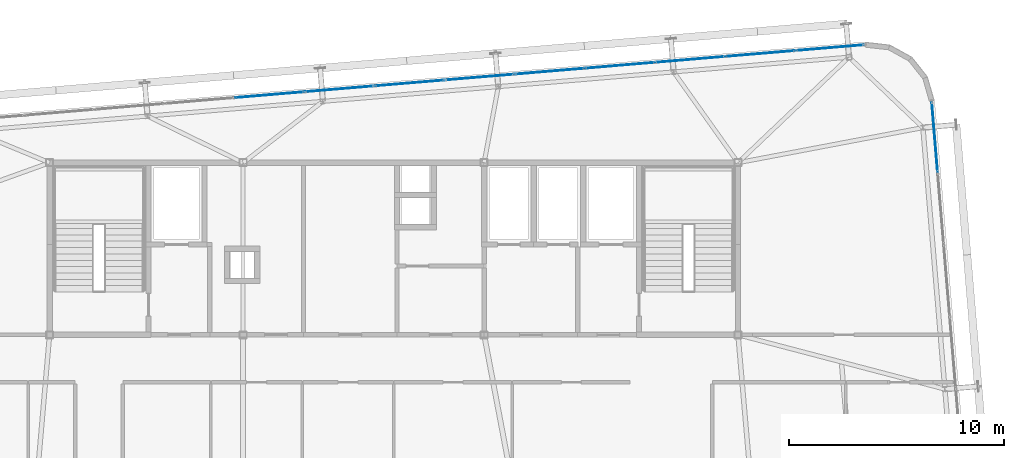
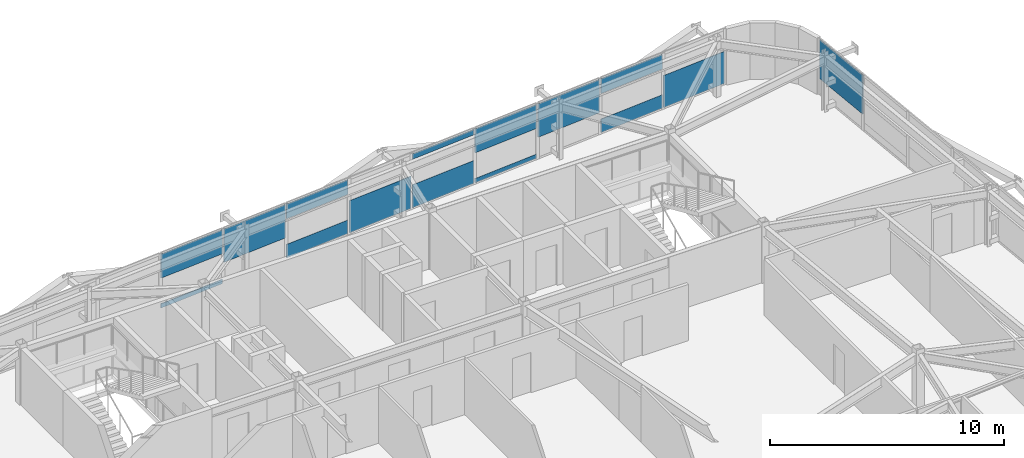
# One storey, part 33 of 44: 15 plates, 2 elements without a shape of their own.
"""IFC4 building model written with IfcOpenShell, lengths in metres."""

from ifc_helpers import new_model, si_unit, direction, frame, origin, origin_2d, place, context, subcontext, project, spatial, rectangle, extrude, source, transform, mapped, material, layer, layer_set, type_object, element, aggregate, save


model = new_model("IFC4")

# Units and contexts
model_context = context("Model", 3, precision=1e-05, world=origin(), true_north=direction((0.0, 1.0)))
body_context = subcontext(model_context, "Body", "Model", "MODEL_VIEW")
ifc_project = project(units=[si_unit("LENGTHUNIT", "METRE"), si_unit("AREAUNIT", "SQUARE_METRE"), si_unit("VOLUMEUNIT", "CUBIC_METRE"), si_unit("PLANEANGLEUNIT", "RADIAN"), si_unit("MASSUNIT", "GRAM", prefix="KILO")], contexts=[model_context])

# Site, building, storey
site_placement = place(None, origin())
site = spatial("IfcSite", under=ifc_project, at=site_placement, CompositionType="ELEMENT")
building_placement = place(site_placement, origin())
building = spatial("IfcBuilding", under=site, at=building_placement, Name="Taldren Reach Tower", CompositionType="ELEMENT")
storey_placement = place(building_placement, frame((0.0, 0.0, 191.449951171875)))
storey = spatial("IfcBuildingStorey", under=building, at=storey_placement, Name="L58", CompositionType="ELEMENT", Elevation=191.449951171875)

# Curtain wall, plates
ifc_material_1 = material(Name="Aluminium and Low-E Glass Unitised System", Category="aluminium")
ifc_layer_1 = layer(ifc_material_1, 0.159912109375)
ifc_layer_set_1 = layer_set([ifc_layer_1], Name="Aluminium and Low-E Glass Unitised System")
curtain_wall_type = type_object("IfcCurtainWallType", Name="CW-SYS-5", PredefinedType="NOTDEFINED", material=ifc_layer_set_1)
curtain_wall_1_placement = place(storey_placement, origin())
curtain_wall_1 = element("IfcCurtainWall", 1, at=curtain_wall_1_placement, inside=storey, type_object=curtain_wall_type, Name="Unitised curtain wall CW-L58-N", PredefinedType="NOTDEFINED")
ifc_material_2 = material(Name="Acoustic Triple-Laminated IGU", Category="glass")
ifc_layer_2 = layer(ifc_material_2, 0.035888671875)
ifc_layer_set_2 = layer_set([ifc_layer_2], Name="Acoustic Triple-Laminated IGU")
plate_type = type_object("IfcPlateType", Name="CW-PNL-IGU36", PredefinedType="CURTAIN_PANEL", material=ifc_layer_set_2)
shared_shape_1 = source(origin(), body_context, "Body", "SweptSolid", [
    extrude(rectangle(XDim=3.19921875, YDim=0.035888671875, at=origin_2d()), origin(), (0.0, 0.0, 1.0), 0.219482421875),
])
plate_1_placement = place(storey_placement, frame((29.223876953125, 35.15576171875, 0.06005859375), z_axis=(0.0, 0.0, 1.0), x_axis=(-0.99649285657, -0.083677875247, 0.0)))
plate_1 = element("IfcPlate", 2, at=plate_1_placement, type_object=plate_type, Name="CW-5 panel 9.1 part 1", PredefinedType="CURTAIN_PANEL", context=body_context, shape_type="MappedRepresentation", body=[
    mapped(shared_shape_1, transform((0.0, 0.0, 0.0), scale=1.0)),
])
shared_shape_2 = source(origin(), body_context, "Body", "SweptSolid", [
    extrude(rectangle(XDim=3.19921875, YDim=0.035888671875, at=origin_2d()), origin(), (0.0, 0.0, 1.0), 1.254638671875),
])
plate_2_placement = place(storey_placement, frame((29.223876953125, 35.15576171875, 1.615234375), z_axis=(0.0, 0.0, 1.0), x_axis=(-0.99649285657, -0.083677875247, 0.0)))
plate_2 = element("IfcPlate", 3, at=plate_2_placement, type_object=plate_type, Name="CW-5 panel 9.1 part 2", PredefinedType="CURTAIN_PANEL", context=body_context, shape_type="MappedRepresentation", body=[
    mapped(shared_shape_2, transform((0.0, 0.0, 0.0), scale=1.0)),
])
shared_shape_3 = source(origin(), body_context, "Body", "SweptSolid", [
    extrude(rectangle(XDim=3.19921875, YDim=0.035888671875, at=origin_2d()), origin(), (0.0, 0.0, 1.0), 1.73828125),
])
plate_3_placement = place(storey_placement, frame((32.481689453125, 35.429443359375, 1.1318359375), z_axis=(0.0, 0.0, 1.0), x_axis=(-0.99649285657, -0.083677875247, 0.0)))
plate_3 = element("IfcPlate", 4, at=plate_3_placement, type_object=plate_type, Name="CW-5 panel 8.1 part 1", PredefinedType="CURTAIN_PANEL", context=body_context, shape_type="MappedRepresentation", body=[
    mapped(shared_shape_3, transform((0.0, 0.0, 0.0), scale=1.0)),
])
shared_shape_4 = source(origin(), body_context, "Body", "SweptSolid", [
    extrude(rectangle(XDim=3.19921875, YDim=0.035888671875, at=origin_2d()), origin(), (0.0, 0.0, 1.0), 0.70703125),
])
plate_4_placement = place(storey_placement, frame((35.739501953125, 35.702880859375, 0.06005859375), z_axis=(0.0, 0.0, 1.0), x_axis=(-0.99649285657, -0.083677875247, 0.0)))
plate_4 = element("IfcPlate", 5, at=plate_4_placement, type_object=plate_type, Name="CW-5 panel 7.1 part 1", PredefinedType="CURTAIN_PANEL", context=body_context, shape_type="MappedRepresentation", body=[
    mapped(shared_shape_4, transform((0.0, 0.0, 0.0), scale=1.0)),
])
shared_shape_5 = source(origin(), body_context, "Body", "SweptSolid", [
    extrude(rectangle(XDim=3.19921875, YDim=0.035888671875, at=origin_2d()), origin(), (0.0, 0.0, 1.0), 0.76708984375),
])
plate_5_placement = place(storey_placement, frame((35.739501953125, 35.702880859375, 2.10302734375), z_axis=(0.0, 0.0, 1.0), x_axis=(-0.99649285657, -0.083677875247, 0.0)))
plate_5 = element("IfcPlate", 6, at=plate_5_placement, type_object=plate_type, Name="CW-5 panel 7.1 part 2", PredefinedType="CURTAIN_PANEL", context=body_context, shape_type="MappedRepresentation", body=[
    mapped(shared_shape_5, transform((0.0, 0.0, 0.0), scale=1.0)),
])
shared_shape_6 = source(origin(), body_context, "Body", "SweptSolid", [
    extrude(rectangle(XDim=3.19921875, YDim=0.035888671875, at=origin_2d()), origin(), (0.0, 0.0, 1.0), 1.67822265625),
])
plate_6_placement = place(storey_placement, frame((38.9970703125, 35.9765625, 0.06005859375), z_axis=(0.0, 0.0, 1.0), x_axis=(-0.99649285657, -0.083677875247, 0.0)))
plate_6 = element("IfcPlate", 7, at=plate_6_placement, type_object=plate_type, Name="CW-5 panel 6.1 part 1", PredefinedType="CURTAIN_PANEL", context=body_context, shape_type="MappedRepresentation", body=[
    mapped(shared_shape_6, transform((0.0, 0.0, 0.0), scale=1.0)),
])
shared_shape_7 = source(origin(), body_context, "Body", "SweptSolid", [
    extrude(rectangle(XDim=3.19921875, YDim=0.035888671875, at=origin_2d()), origin(), (0.0, 0.0, 1.0), 1.194580078125),
])
plate_7_placement = place(storey_placement, frame((42.2548828125, 36.25, 0.06005859375), z_axis=(0.0, 0.0, 1.0), x_axis=(-0.99649285657, -0.083677875247, 0.0)))
plate_7 = element("IfcPlate", 8, at=plate_7_placement, type_object=plate_type, Name="CW-5 panel 5.1 part 1", PredefinedType="CURTAIN_PANEL", context=body_context, shape_type="MappedRepresentation", body=[
    mapped(shared_shape_7, transform((0.0, 0.0, 0.0), scale=1.0)),
])
shared_shape_8 = source(origin(), body_context, "Body", "SweptSolid", [
    extrude(rectangle(XDim=3.19921875, YDim=0.035888671875, at=origin_2d()), origin(), (0.0, 0.0, 1.0), 0.279296875),
])
plate_8_placement = place(storey_placement, frame((42.2548828125, 36.25, 2.5908203125), z_axis=(0.0, 0.0, 1.0), x_axis=(-0.99649285657, -0.083677875247, 0.0)))
plate_8 = element("IfcPlate", 9, at=plate_8_placement, type_object=plate_type, Name="CW-5 panel 5.1 part 2", PredefinedType="CURTAIN_PANEL", context=body_context, shape_type="MappedRepresentation", body=[
    mapped(shared_shape_8, transform((0.0, 0.0, 0.0), scale=1.0)),
])
shared_shape_9 = source(origin(), body_context, "Body", "SweptSolid", [
    extrude(rectangle(XDim=3.19921875, YDim=0.035888671875, at=origin_2d()), origin(), (0.0, 0.0, 1.0), 0.223388671875),
])
plate_9_placement = place(storey_placement, frame((45.5126953125, 36.523681640625, 0.06005859375), z_axis=(0.0, 0.0, 1.0), x_axis=(-0.99649285657, -0.083677875247, 0.0)))
plate_9 = element("IfcPlate", 10, at=plate_9_placement, type_object=plate_type, Name="CW-5 panel 4.1 part 1", PredefinedType="CURTAIN_PANEL", context=body_context, shape_type="MappedRepresentation", body=[
    mapped(shared_shape_9, transform((0.0, 0.0, 0.0), scale=1.0)),
])
shared_shape_10 = source(origin(), body_context, "Body", "SweptSolid", [
    extrude(rectangle(XDim=3.19921875, YDim=0.035888671875, at=origin_2d()), origin(), (0.0, 0.0, 1.0), 1.25048828125),
])
plate_10_placement = place(storey_placement, frame((45.5126953125, 36.523681640625, 1.61962890625), z_axis=(0.0, 0.0, 1.0), x_axis=(-0.99649285657, -0.083677875247, 0.0)))
plate_10 = element("IfcPlate", 11, at=plate_10_placement, type_object=plate_type, Name="CW-5 panel 4.1 part 2", PredefinedType="CURTAIN_PANEL", context=body_context, shape_type="MappedRepresentation", body=[
    mapped(shared_shape_10, transform((0.0, 0.0, 0.0), scale=1.0)),
])
shared_shape_11 = source(origin(), body_context, "Body", "SweptSolid", [
    extrude(rectangle(XDim=3.19921875, YDim=0.035888671875, at=origin_2d()), origin(), (0.0, 0.0, 1.0), 1.742431640625),
])
plate_11_placement = place(storey_placement, frame((48.7705078125, 36.797119140625, 1.12744140625), z_axis=(0.0, 0.0, 1.0), x_axis=(-0.99649285657, -0.083677875247, 0.0)))
plate_11 = element("IfcPlate", 12, at=plate_11_placement, type_object=plate_type, Name="CW-5 panel 3.1 part 1", PredefinedType="CURTAIN_PANEL", context=body_context, shape_type="MappedRepresentation", body=[
    mapped(shared_shape_11, transform((0.0, 0.0, 0.0), scale=1.0)),
])
shared_shape_12 = source(origin(), body_context, "Body", "SweptSolid", [
    extrude(rectangle(XDim=3.19921875, YDim=0.035888671875, at=origin_2d()), origin(), (0.0, 0.0, 1.0), 0.702880859375),
])
plate_12_placement = place(storey_placement, frame((52.0283203125, 37.07080078125, 0.06005859375), z_axis=(0.0, 0.0, 1.0), x_axis=(-0.99649285657, -0.083677875247, 0.0)))
plate_12 = element("IfcPlate", 13, at=plate_12_placement, type_object=plate_type, Name="CW-5 panel 2.1 part 1", PredefinedType="CURTAIN_PANEL", context=body_context, shape_type="MappedRepresentation", body=[
    mapped(shared_shape_12, transform((0.0, 0.0, 0.0), scale=1.0)),
])
shared_shape_13 = source(origin(), body_context, "Body", "SweptSolid", [
    extrude(rectangle(XDim=3.19921875, YDim=0.035888671875, at=origin_2d()), origin(), (0.0, 0.0, 1.0), 0.771240234375),
])
plate_13_placement = place(storey_placement, frame((52.0283203125, 37.07080078125, 2.0986328125), z_axis=(0.0, 0.0, 1.0), x_axis=(-0.99649285657, -0.083677875247, 0.0)))
plate_13 = element("IfcPlate", 14, at=plate_13_placement, type_object=plate_type, Name="CW-5 panel 2.1 part 2", PredefinedType="CURTAIN_PANEL", context=body_context, shape_type="MappedRepresentation", body=[
    mapped(shared_shape_13, transform((0.0, 0.0, 0.0), scale=1.0)),
])
shared_shape_14 = source(origin(), body_context, "Body", "SweptSolid", [
    extrude(rectangle(XDim=3.164306640625, YDim=0.035888671875, at=origin_2d()), origin(), (0.0, 0.0, 1.0), 1.674072265625),
])
plate_14_placement = place(storey_placement, frame((55.2685546875, 37.3427734375, 0.06005859375), z_axis=(0.0, 0.0, 1.0), x_axis=(-0.99649285657, -0.083677875247, 0.0)))
plate_14 = element("IfcPlate", 15, at=plate_14_placement, type_object=plate_type, Name="CW-5 panel 1.1 part 1", PredefinedType="CURTAIN_PANEL", context=body_context, shape_type="MappedRepresentation", body=[
    mapped(shared_shape_14, transform((0.0, 0.0, 0.0), scale=1.0)),
])
aggregate(curtain_wall_1, [plate_14, plate_12, plate_13, plate_11, plate_9, plate_10, plate_7, plate_8, plate_6, plate_4, plate_5, plate_3, plate_1, plate_2])

# Curtain wall, plate
curtain_wall_2_placement = place(storey_placement, origin())
curtain_wall_2 = element("IfcCurtainWall", 16, at=curtain_wall_2_placement, inside=storey, type_object=curtain_wall_type, Name="Unitised curtain wall CW-L58-E", PredefinedType="NOTDEFINED")
shared_shape_15 = source(origin(), body_context, "Body", "SweptSolid", [
    extrude(rectangle(XDim=3.2451171875, YDim=0.035888671875, at=origin_2d()), origin(), (0.0, 0.0, 1.0), 2.040283203125),
])
plate_15_placement = place(storey_placement, frame((60.145751953125, 33.183837890625, 0.82958984375), z_axis=(0.0, 0.0, 1.0), x_axis=(-0.083677979808, 0.996492847789, 0.0)))
plate_15 = element("IfcPlate", 17, at=plate_15_placement, type_object=plate_type, Name="CW-5 panel 8.1 part 1", PredefinedType="CURTAIN_PANEL", context=body_context, shape_type="MappedRepresentation", body=[
    mapped(shared_shape_15, transform((0.0, 0.0, 0.0), scale=1.0)),
])
aggregate(curtain_wall_2, [plate_15])

save(model, "model.ifc")
